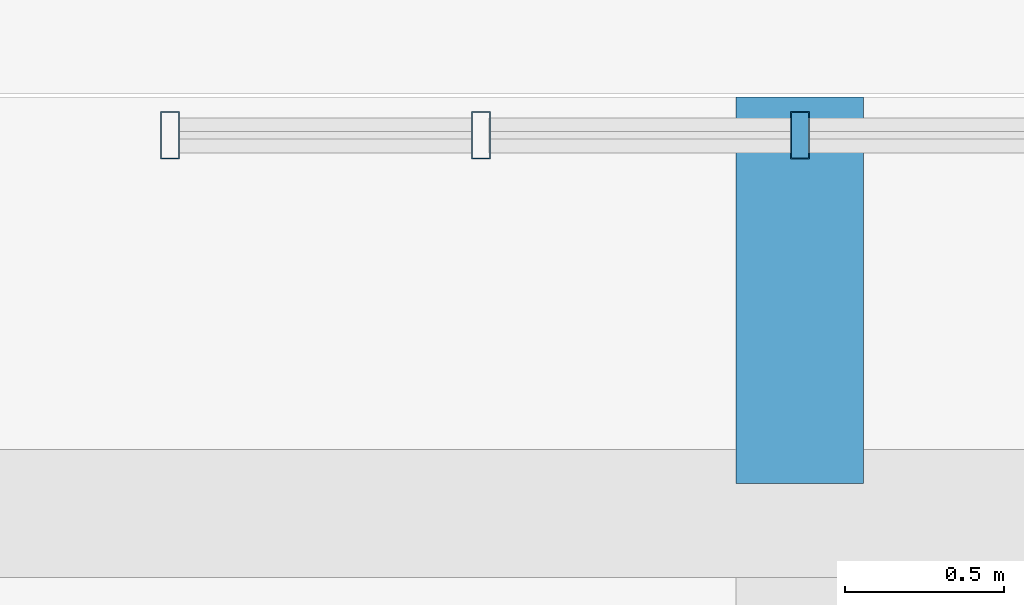
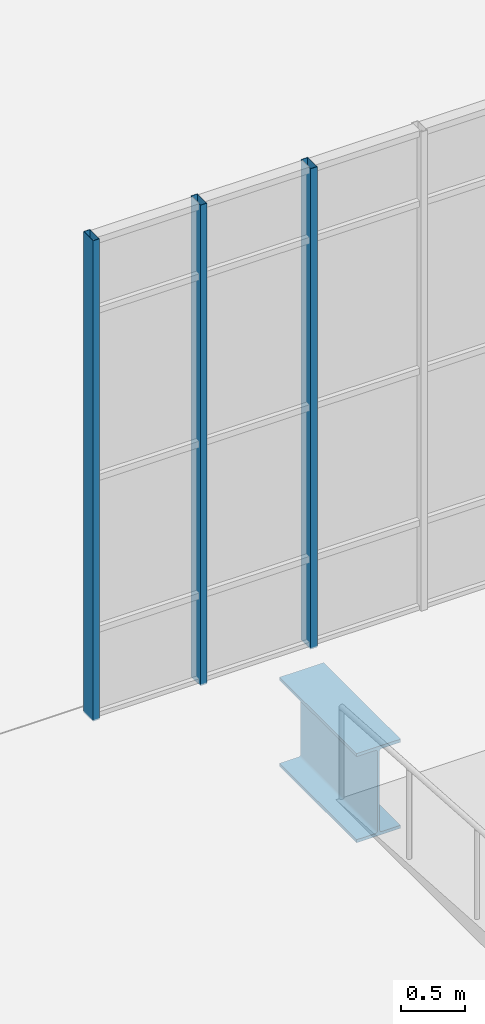
# One storey, part 62 of 189: 3 members, 1 beam, 1 element without a shape of its own.
"""IFC4 building model written with IfcOpenShell, lengths in metres."""

from ifc_helpers import new_model, si_unit, direction, frame, origin, origin_2d, place, context, subcontext, project, spatial, hollow_rectangle, i_section, extrude, material, layer, layer_set, material_profile, profile_set, type_object, element, aggregate, save


model = new_model("IFC4")

# Units and contexts
model_context = context("Model", 3, precision=1e-05, world=origin(), true_north=direction((0.0, 1.0)))
body_context = subcontext(model_context, "Body", "Model", "MODEL_VIEW")
ifc_project = project(units=[si_unit("LENGTHUNIT", "METRE"), si_unit("AREAUNIT", "SQUARE_METRE"), si_unit("VOLUMEUNIT", "CUBIC_METRE"), si_unit("PLANEANGLEUNIT", "RADIAN"), si_unit("MASSUNIT", "GRAM", prefix="KILO"), si_unit("THERMODYNAMICTEMPERATUREUNIT", "KELVIN"), si_unit("POWERUNIT", "WATT")], contexts=[model_context])

# Site, building, storey
site_placement = place(None, origin())
site = spatial("IfcSite", under=ifc_project, at=site_placement, CompositionType="ELEMENT")
building_placement = place(site_placement, origin())
building = spatial("IfcBuilding", under=site, at=building_placement, Name="Zelmaris Science Centre", CompositionType="ELEMENT")
storey_placement = place(building_placement, origin())
storey = spatial("IfcBuildingStorey", under=building, at=storey_placement, Name="L00", CompositionType="ELEMENT", Elevation=0.0)

# Curtain wall, members
ifc_material_1 = material(Name="Anodised architectural aluminium 6063-T6", Category="aluminium")
ifc_layer = layer(ifc_material_1, 0.219970703125, Name="Anodised architectural aluminium 6063-T6")
ifc_layer_set = layer_set([ifc_layer], Name="Anodised architectural aluminium 6063-T6")
curtain_wall_type = type_object("IfcCurtainWallType", Name="Curtain Wall CW-04", PredefinedType="USERDEFINED", material=ifc_layer_set)
curtain_wall_placement = place(storey_placement, origin())
curtain_wall = element("IfcCurtainWall", 1, at=curtain_wall_placement, inside=storey, type_object=curtain_wall_type, Name="L00 Unitised curtain wall 56", ObjectType="GLAZED CURTAIN WALL", PredefinedType="USERDEFINED")
ifc_material_profile_1 = material_profile(ifc_material_1, hollow_rectangle(XDim=0.06005859375, YDim=0.14990234375, WallThickness=0.00341796875, at=origin_2d()), Name="ALU-MUL-60X150")
ifc_profile_set_1 = profile_set([ifc_material_profile_1], Name="Anodised architectural aluminium 6063-T6")
member_type = type_object("IfcMemberType", Name="ALU-MUL-60X150", PredefinedType="MULLION", material=ifc_profile_set_1)
member_1_placement = place(storey_placement, frame((79.02294921875, 51.580078125, -0.014892578125), z_axis=(0.0, 0.0, 1.0), x_axis=(0.999999999994, -3.490659e-06, 0.0)))
member_1 = element("IfcMember", 2, at=member_1_placement, type_object=member_type, Name="CW-04 mullion 1", PredefinedType="MULLION", context=body_context, shape_type="SweptSolid", body=[
    extrude(hollow_rectangle(XDim=0.06005859375, YDim=0.14990234375, WallThickness=0.00341796875, at=origin_2d()), origin(), (0.0, 0.0, 1.0), 4.614990234375),
])
member_2_placement = place(storey_placement, frame((79.998779296875, 51.580078125, -0.014892578125), z_axis=(0.0, 0.0, 1.0), x_axis=(0.999999999994, -3.490659e-06, 0.0)))
member_2 = element("IfcMember", 3, at=member_2_placement, type_object=member_type, Name="CW-04 mullion 2", PredefinedType="MULLION", context=body_context, shape_type="SweptSolid", body=[
    extrude(hollow_rectangle(XDim=0.06005859375, YDim=0.14990234375, WallThickness=0.00341796875, at=origin_2d()), origin(), (0.0, 0.0, 1.0), 4.614990234375),
])
member_3_placement = place(storey_placement, frame((81.000732421875, 51.580078125, -0.014892578125), z_axis=(0.0, 0.0, 1.0), x_axis=(0.999999999994, -3.490659e-06, 0.0)))
member_3 = element("IfcMember", 4, at=member_3_placement, type_object=member_type, Name="CW-04 mullion 3", PredefinedType="MULLION", context=body_context, shape_type="SweptSolid", body=[
    extrude(hollow_rectangle(XDim=0.06005859375, YDim=0.14990234375, WallThickness=0.00341796875, at=origin_2d()), origin(), (0.0, 0.0, 1.0), 4.614990234375),
])
aggregate(curtain_wall, [member_1, member_2, member_3])

# Beam
ifc_material_2 = material(Name="Steel ASTM A992 Grade 50", Category="steel")
ifc_material_profile_2 = material_profile(ifc_material_2, i_section(OverallWidth=0.40087890625, OverallDepth=0.85595703125, WebThickness=0.018310546875, FlangeThickness=0.029296875, FilletRadius=0.02001953125, at=origin_2d()), Name="W33X201")
ifc_profile_set_2 = profile_set([ifc_material_profile_2], Name="Steel ASTM A992 Grade 50")
beam_type = type_object("IfcBeamType", Name="Beam G-05 W33X201", PredefinedType="BEAM", material=ifc_profile_set_2)
beam_placement = place(storey_placement, frame((81.0, 50.4873046875, -0.76806640625), z_axis=(0.0, 1.0, 0.0), x_axis=(-1.0, 0.0, 0.0)))
element("IfcBeam", 5, at=beam_placement, inside=storey, type_object=beam_type, Name="L00 Radial overhang girder 8", PredefinedType="BEAM", context=body_context, shape_type="SweptSolid", body=[
    extrude(i_section(OverallWidth=0.40087890625, OverallDepth=0.85595703125, WebThickness=0.018310546875, FlangeThickness=0.029296875, FilletRadius=0.02001953125, at=origin_2d()), origin(), (0.0, 0.0, 1.0), 1.212646484375),
])

save(model, "model.ifc")
